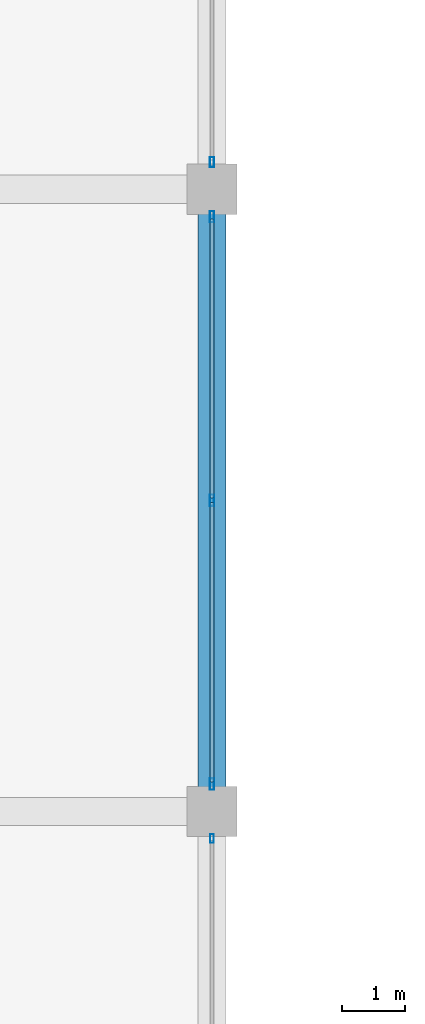
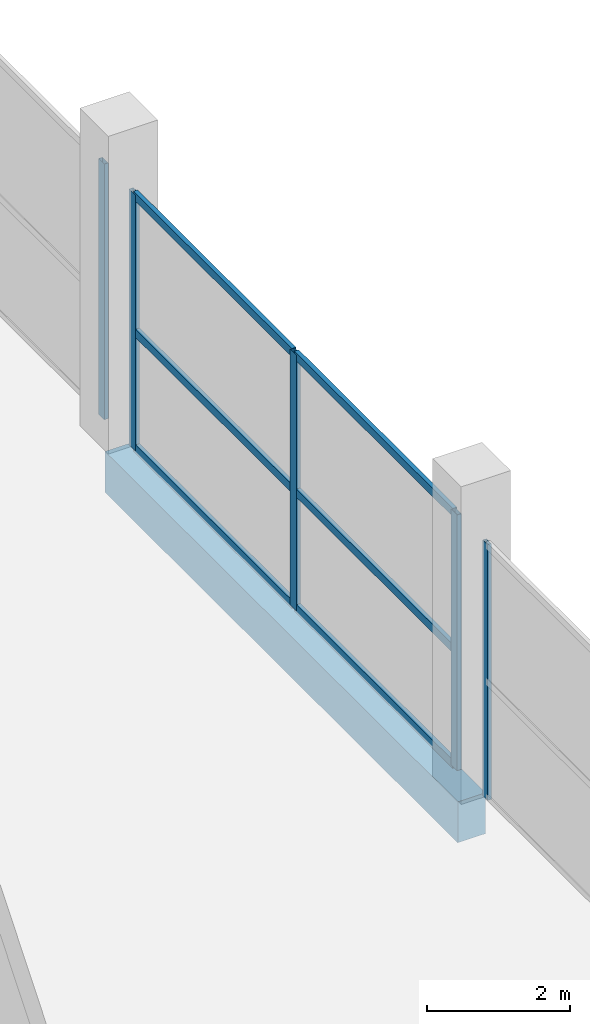
# One storey, part 10 of 72: 11 members, 1 beam, 3 elements without a shape of their own.
"""IFC4 building model written with IfcOpenShell, lengths in metres."""

from ifc_helpers import new_model, si_unit, direction, frame, origin, origin_2d, place, context, subcontext, project, spatial, rectangle, hollow_rectangle, extrude, material, layer, layer_set, material_profile, profile_set, type_object, element, aggregate, save


model = new_model("IFC4")

# Units and contexts
model_context = context("Model", 3, precision=1e-05, world=origin(), true_north=direction((0.0, 1.0)))
body_context = subcontext(model_context, "Body", "Model", "MODEL_VIEW")
ifc_project = project(units=[si_unit("LENGTHUNIT", "METRE"), si_unit("AREAUNIT", "SQUARE_METRE"), si_unit("VOLUMEUNIT", "CUBIC_METRE"), si_unit("PLANEANGLEUNIT", "RADIAN"), si_unit("MASSUNIT", "GRAM", prefix="KILO")], contexts=[model_context])

# Site, building, storey
site_placement = place(None, origin())
site = spatial("IfcSite", under=ifc_project, at=site_placement, CompositionType="ELEMENT")
building_placement = place(site_placement, origin())
building = spatial("IfcBuilding", under=site, at=building_placement, Name="Sillaruma Civic Art Gallery", CompositionType="ELEMENT")
storey_placement = place(building_placement, frame((0.0, 0.0, 10.8798828125)))
storey = spatial("IfcBuildingStorey", under=building, at=storey_placement, Name="L02", CompositionType="ELEMENT", Elevation=10.8798828125)

# Beam
ifc_material_1 = material(Name="Concrete H35 (35 MPa)", Category="concrete")
ifc_material_profile_1 = material_profile(ifc_material_1, rectangle(XDim=0.449951171875, YDim=0.699951171875, at=origin_2d()), Name="RCB450x700")
ifc_profile_set_1 = profile_set([ifc_material_profile_1], Name="Concrete H35 (35 MPa)")
beam_type = type_object("IfcBeamType", Name="BM-SPANDREL-RCB450x700", PredefinedType="SPANDREL", material=ifc_profile_set_1)
beam_placement = place(storey_placement, frame((114.39990234375, 49.5, -0.60986328125), z_axis=(0.0, 1.0, 0.0), x_axis=(-1.0, 0.0, 0.0)))
element("IfcBeam", 1, at=beam_placement, inside=storey, type_object=beam_type, Name="Beam BS-03 (L01:N:6-7)", PredefinedType="SPANDREL", context=body_context, shape_type="SweptSolid", body=[
    extrude(rectangle(XDim=0.449951171875, YDim=0.699951171875, at=origin_2d()), origin(), (0.0, 0.0, 1.0), 9.89990234375),
])

# Curtain wall, member
ifc_material_2 = material(Name="Thermally Broken Extruded Aluminium 6063-T6", Category="aluminium")
ifc_layer_1 = layer(ifc_material_2, 0.139892578125, Name="Thermally Broken Extruded Aluminium 6063-T6")
ifc_layer_set_1 = layer_set([ifc_layer_1], Name="Thermally Broken Extruded Aluminium 6063-T6")
curtain_wall_type_1 = type_object("IfcCurtainWallType", Name="CW-UNI-15", PredefinedType="NOTDEFINED", material=ifc_layer_set_1)
curtain_wall_1_placement = place(storey_placement, origin())
curtain_wall_1 = element("IfcCurtainWall", 2, at=curtain_wall_1_placement, inside=storey, type_object=curtain_wall_type_1, Name="Unitised Curtain Wall CW-15 (CW-L02-SPE-3)", PredefinedType="NOTDEFINED")
ifc_material_profile_2 = material_profile(ifc_material_2, hollow_rectangle(XDim=0.06005859375, YDim=0.139892578125, WallThickness=0.00341796875, at=origin_2d()), Name="CWM60x140")
ifc_profile_set_2 = profile_set([ifc_material_profile_2], Name="Thermally Broken Extruded Aluminium 6063-T6")
member_type_1 = type_object("IfcMemberType", Name="MEM-MUL-CWM60x140", PredefinedType="MULLION", material=ifc_profile_set_2)
member_1_placement = place(storey_placement, frame((114.39990234375, 49.070068359375, 0.0), z_axis=(0.0, 0.0, 1.0), x_axis=(-1.0, 0.0, 0.0)))
member_1 = element("IfcMember", 3, at=member_1_placement, type_object=member_type_1, Name="CW-15 mullion 3", PredefinedType="MULLION", context=body_context, shape_type="SweptSolid", body=[
    extrude(hollow_rectangle(XDim=0.06005859375, YDim=0.139892578125, WallThickness=0.00341796875, at=origin_2d()), origin(), (0.0, 0.0, 1.0), 4.380126953125),
])
aggregate(curtain_wall_1, [member_1])

ifc_layer_2 = layer(ifc_material_2, 0.159912109375, Name="Thermally Broken Extruded Aluminium 6063-T6")
ifc_layer_set_2 = layer_set([ifc_layer_2], Name="Thermally Broken Extruded Aluminium 6063-T6")
curtain_wall_type_2 = type_object("IfcCurtainWallType", Name="CW-UNI-17", PredefinedType="NOTDEFINED", material=ifc_layer_set_2)
curtain_wall_2_placement = place(storey_placement, origin())
curtain_wall_2 = element("IfcCurtainWall", 4, at=curtain_wall_2_placement, inside=storey, type_object=curtain_wall_type_2, Name="Unitised Curtain Wall CW-17 (CW-L02-SPE-5)", PredefinedType="NOTDEFINED")
ifc_material_profile_3 = material_profile(ifc_material_2, hollow_rectangle(XDim=0.06494140625, YDim=0.159912109375, WallThickness=0.00390625, at=origin_2d()), Name="CWM65x160")
ifc_profile_set_3 = profile_set([ifc_material_profile_3], Name="Thermally Broken Extruded Aluminium 6063-T6")
member_type_2 = type_object("IfcMemberType", Name="MEM-MUL-CWM65x160", PredefinedType="MULLION", material=ifc_profile_set_3)
member_2_placement = place(storey_placement, frame((114.39990234375, 59.83251953125, 0.0), z_axis=(0.0, 0.0, 1.0), x_axis=(-1.0, 0.0, 0.0)))
member_2 = element("IfcMember", 5, at=member_2_placement, type_object=member_type_2, Name="CW-17 mullion 1", PredefinedType="MULLION", context=body_context, shape_type="SweptSolid", body=[
    extrude(hollow_rectangle(XDim=0.06494140625, YDim=0.159912109375, WallThickness=0.00390625, at=origin_2d()), origin(), (0.0, 0.0, 1.0), 4.380126953125),
])
aggregate(curtain_wall_2, [member_2])

# Curtain wall, members
ifc_layer_3 = layer(ifc_material_2, 0.179931640625, Name="Thermally Broken Extruded Aluminium 6063-T6")
ifc_layer_set_3 = layer_set([ifc_layer_3], Name="Thermally Broken Extruded Aluminium 6063-T6")
curtain_wall_type_3 = type_object("IfcCurtainWallType", Name="CW-UNI-16", PredefinedType="NOTDEFINED", material=ifc_layer_set_3)
curtain_wall_3_placement = place(storey_placement, origin())
curtain_wall_3 = element("IfcCurtainWall", 6, at=curtain_wall_3_placement, inside=storey, type_object=curtain_wall_type_3, Name="Unitised Curtain Wall CW-16 (CW-L02-SPE-4)", PredefinedType="NOTDEFINED")
ifc_material_profile_4 = material_profile(ifc_material_2, hollow_rectangle(XDim=0.070068359375, YDim=0.179931640625, WallThickness=0.00390625, at=origin_2d()), Name="CWM70x180")
ifc_profile_set_4 = profile_set([ifc_material_profile_4], Name="Thermally Broken Extruded Aluminium 6063-T6")
member_type_3 = type_object("IfcMemberType", Name="MEM-MUL-CWM70x180", PredefinedType="MULLION", material=ifc_profile_set_4)
member_3_placement = place(storey_placement, frame((114.39990234375, 49.93505859375, 0.0), z_axis=(0.0, 0.0, 1.0), x_axis=(-1.0, 0.0, 0.0)))
member_3 = element("IfcMember", 7, at=member_3_placement, type_object=member_type_3, Name="CW-16 mullion 1", PredefinedType="MULLION", context=body_context, shape_type="SweptSolid", body=[
    extrude(hollow_rectangle(XDim=0.070068359375, YDim=0.179931640625, WallThickness=0.00390625, at=origin_2d()), origin(), (0.0, 0.0, 1.0), 4.380126953125),
])
member_4_placement = place(storey_placement, frame((114.39990234375, 54.449951171875, 0.0), z_axis=(0.0, 0.0, 1.0), x_axis=(-1.0, 0.0, 0.0)))
member_4 = element("IfcMember", 8, at=member_4_placement, type_object=member_type_3, Name="CW-16 mullion 2", PredefinedType="MULLION", context=body_context, shape_type="SweptSolid", body=[
    extrude(hollow_rectangle(XDim=0.070068359375, YDim=0.179931640625, WallThickness=0.00390625, at=origin_2d()), origin(), (0.0, 0.0, 1.0), 4.380126953125),
])
member_5_placement = place(storey_placement, frame((114.39990234375, 58.965087890625, 0.0), z_axis=(0.0, 0.0, 1.0), x_axis=(-1.0, 0.0, 0.0)))
member_5 = element("IfcMember", 9, at=member_5_placement, type_object=member_type_3, Name="CW-16 mullion 3", PredefinedType="MULLION", context=body_context, shape_type="SweptSolid", body=[
    extrude(hollow_rectangle(XDim=0.070068359375, YDim=0.179931640625, WallThickness=0.00390625, at=origin_2d()), origin(), (0.0, 0.0, 1.0), 4.380126953125),
])
ifc_material_profile_5 = material_profile(ifc_material_2, hollow_rectangle(XDim=0.070068359375, YDim=0.139892578125, WallThickness=0.00390625, at=origin_2d()), Name="CWT70x140")
ifc_profile_set_5 = profile_set([ifc_material_profile_5], Name="Thermally Broken Extruded Aluminium 6063-T6")
member_type_4 = type_object("IfcMemberType", Name="MEM-TRN-CWT70x140", PredefinedType="USERDEFINED", material=ifc_profile_set_5)
member_6_placement = place(storey_placement, frame((114.39990234375, 49.969970703125, 0.03515625), z_axis=(0.0, 1.0, 0.0), x_axis=(-1.0, 0.0, 0.0)))
member_6 = element("IfcMember", 10, at=member_6_placement, type_object=member_type_4, Name="CW-16 transom 1.1", ObjectType="TRANSOM", PredefinedType="USERDEFINED", context=body_context, shape_type="SweptSolid", body=[
    extrude(hollow_rectangle(XDim=0.070068359375, YDim=0.139892578125, WallThickness=0.00390625, at=origin_2d()), origin(), (0.0, 0.0, 1.0), 4.445068359375),
])
member_7_placement = place(storey_placement, frame((114.39990234375, 49.969970703125, 2.014892578125), z_axis=(0.0, 1.0, 0.0), x_axis=(-1.0, 0.0, 0.0)))
member_7 = element("IfcMember", 11, at=member_7_placement, type_object=member_type_4, Name="CW-16 transom 1.2", ObjectType="TRANSOM", PredefinedType="USERDEFINED", context=body_context, shape_type="SweptSolid", body=[
    extrude(hollow_rectangle(XDim=0.070068359375, YDim=0.139892578125, WallThickness=0.00390625, at=origin_2d()), origin(), (0.0, 0.0, 1.0), 4.445068359375),
])
member_8_placement = place(storey_placement, frame((114.39990234375, 49.969970703125, 4.34521484375), z_axis=(0.0, 1.0, 0.0), x_axis=(-1.0, 0.0, 0.0)))
member_8 = element("IfcMember", 12, at=member_8_placement, type_object=member_type_4, Name="CW-16 transom 1.3", ObjectType="TRANSOM", PredefinedType="USERDEFINED", context=body_context, shape_type="SweptSolid", body=[
    extrude(hollow_rectangle(XDim=0.070068359375, YDim=0.139892578125, WallThickness=0.00390625, at=origin_2d()), origin(), (0.0, 0.0, 1.0), 4.445068359375),
])
member_9_placement = place(storey_placement, frame((114.39990234375, 54.485107421875, 0.03515625), z_axis=(0.0, 1.0, 0.0), x_axis=(-1.0, 0.0, 0.0)))
member_9 = element("IfcMember", 13, at=member_9_placement, type_object=member_type_4, Name="CW-16 transom 2.1", ObjectType="TRANSOM", PredefinedType="USERDEFINED", context=body_context, shape_type="SweptSolid", body=[
    extrude(hollow_rectangle(XDim=0.070068359375, YDim=0.139892578125, WallThickness=0.00390625, at=origin_2d()), origin(), (0.0, 0.0, 1.0), 4.44482421875),
])
member_10_placement = place(storey_placement, frame((114.39990234375, 54.485107421875, 2.014892578125), z_axis=(0.0, 1.0, 0.0), x_axis=(-1.0, 0.0, 0.0)))
member_10 = element("IfcMember", 14, at=member_10_placement, type_object=member_type_4, Name="CW-16 transom 2.2", ObjectType="TRANSOM", PredefinedType="USERDEFINED", context=body_context, shape_type="SweptSolid", body=[
    extrude(hollow_rectangle(XDim=0.070068359375, YDim=0.139892578125, WallThickness=0.00390625, at=origin_2d()), origin(), (0.0, 0.0, 1.0), 4.44482421875),
])
member_11_placement = place(storey_placement, frame((114.39990234375, 54.485107421875, 4.34521484375), z_axis=(0.0, 1.0, 0.0), x_axis=(-1.0, 0.0, 0.0)))
member_11 = element("IfcMember", 15, at=member_11_placement, type_object=member_type_4, Name="CW-16 transom 2.3", ObjectType="TRANSOM", PredefinedType="USERDEFINED", context=body_context, shape_type="SweptSolid", body=[
    extrude(hollow_rectangle(XDim=0.070068359375, YDim=0.139892578125, WallThickness=0.00390625, at=origin_2d()), origin(), (0.0, 0.0, 1.0), 4.44482421875),
])
aggregate(curtain_wall_3, [member_3, member_4, member_5, member_6, member_7, member_8, member_9, member_10, member_11])

save(model, "model.ifc")
